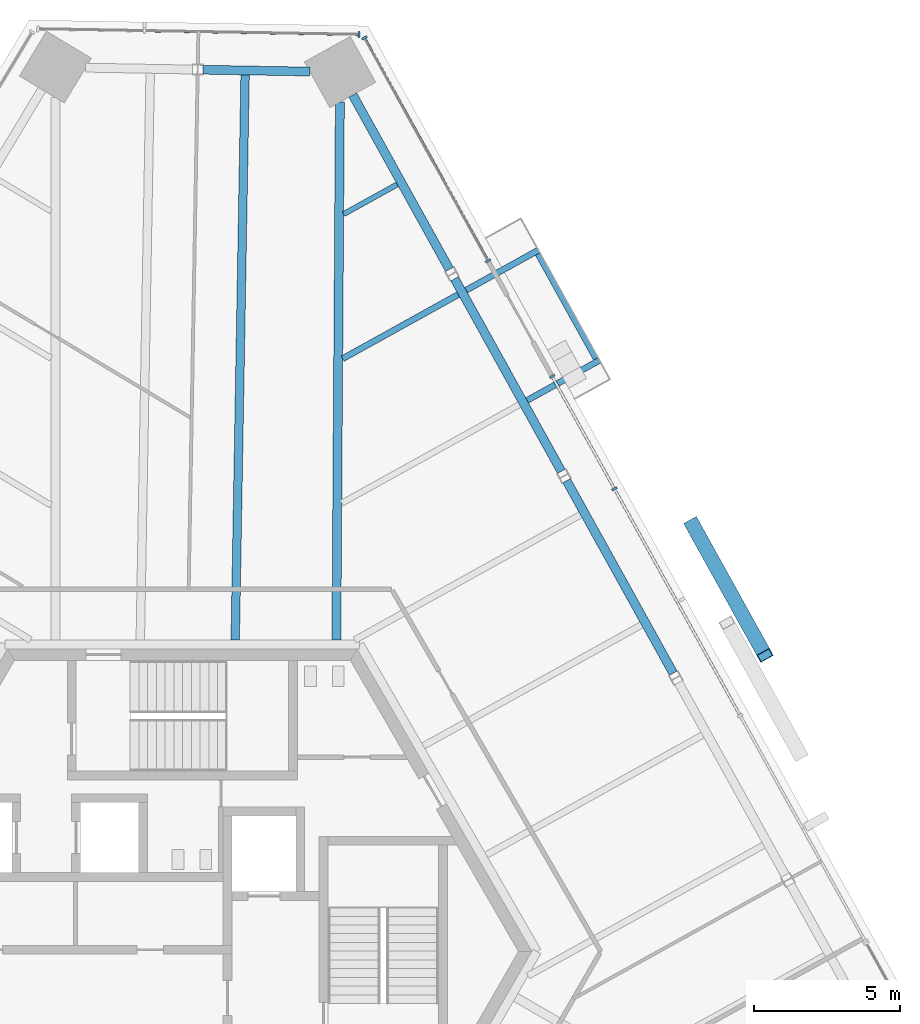
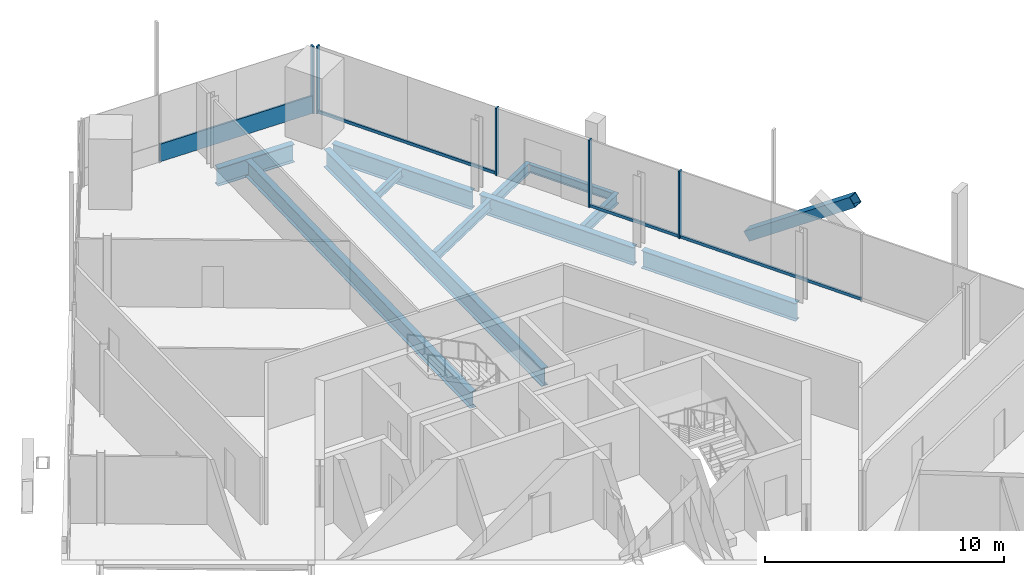
# One storey, part 9 of 20: 11 beams, 10 members, 3 elements without a shape of their own.
"""IFC4 building model written with IfcOpenShell, lengths in metres."""

from ifc_helpers import new_model, si_unit, direction, frame, origin, origin_2d, place, context, subcontext, project, spatial, rectangle, hollow_rectangle, i_section, extrude, source, transform, mapped, material, material_profile, profile_set, type_object, element, aggregate, save


model = new_model("IFC4")

# Units and contexts
model_context = context("Model", 3, precision=1e-05, world=origin(), true_north=direction((0.0, 1.0)))
body_context = subcontext(model_context, "Body", "Model", "MODEL_VIEW")
ifc_project = project(units=[si_unit("LENGTHUNIT", "METRE"), si_unit("AREAUNIT", "SQUARE_METRE"), si_unit("VOLUMEUNIT", "CUBIC_METRE"), si_unit("PLANEANGLEUNIT", "RADIAN"), si_unit("MASSUNIT", "GRAM", prefix="KILO")], contexts=[model_context])

# Site, building, storey
site_placement = place(None, origin())
site = spatial("IfcSite", under=ifc_project, at=site_placement, CompositionType="ELEMENT")
building_placement = place(site_placement, origin())
building = spatial("IfcBuilding", under=site, at=building_placement, Name="Triune Harvest Tower", CompositionType="ELEMENT")
storey_placement = place(building_placement, frame((0.0, 0.0, 194.300048828125)))
storey = spatial("IfcBuildingStorey", under=building, at=storey_placement, Name="L50", CompositionType="ELEMENT", Elevation=194.300048828125)

# Curtain wall, member
ifc_material_1 = material(Name="Aluminium bronze anodised", Category="aluminium")
curtain_wall_type_1 = type_object("IfcCurtainWallType", Name="CW-10 Balcony window wall with insulated spandrel infill", PredefinedType="NOTDEFINED", material=ifc_material_1)
curtain_wall_1_placement = place(storey_placement, origin())
curtain_wall_1 = element("IfcCurtainWall", 1, at=curtain_wall_1_placement, inside=storey, type_object=curtain_wall_type_1, Name="CW-10 B5-F1 L50 run 1001")
ifc_material_2 = material(Name="Aluminium bronze anodised", Category="aluminium")
ifc_material_profile_1 = material_profile(ifc_material_2, rectangle(XDim=0.090087890625, YDim=0.14990234375, at=origin_2d()), Name="TR-6 transom 90 x 150")
ifc_profile_set_1 = profile_set([ifc_material_profile_1], Name="Aluminium bronze anodised")
member_type_1 = type_object("IfcMemberType", Name="TR-6 transom 90 x 150", PredefinedType="USERDEFINED", material=ifc_profile_set_1)
member_1_placement = place(storey_placement, frame((14.817138671875, 15.919189453125, 0.074951171875), z_axis=(-0.484820583326, 0.874613630115, 0.0), x_axis=(-0.874613630115, -0.484820583326, 0.0)))
member_1 = element("IfcMember", 2, at=member_1_placement, type_object=member_type_1, Name="CW-10 transom B5-F1 1001.3", ObjectType="TRANSOM", PredefinedType="USERDEFINED", context=body_context, shape_type="SweptSolid", body=[
    extrude(rectangle(XDim=0.090087890625, YDim=0.14990234375, at=origin_2d()), origin(), (0.0, 0.0, 1.0), 4.336669921875),
])

# Beams
ifc_material_3 = material(Name="Steel ASTM A992 Gr 50", Category="steel")
ifc_material_profile_2 = material_profile(ifc_material_3, i_section(OverallWidth=0.3046875, OverallDepth=0.914306640625, WebThickness=0.0166015625, FlangeThickness=0.02587890625, at=origin_2d()), Name="W36x160")
ifc_profile_set_2 = profile_set([ifc_material_profile_2], Name="Steel ASTM A992 Gr 50")
beam_type_1 = type_object("IfcBeamType", Name="SB-1 Spandrel beam W36x160", PredefinedType="SPANDREL", material=ifc_profile_set_2)
shared_shape_1 = source(origin(), body_context, "Body", "SweptSolid", [
    extrude(i_section(OverallWidth=0.3046875, OverallDepth=0.914306640625, WebThickness=0.0166015625, FlangeThickness=0.02587890625, at=origin_2d()), origin(), (0.0, 0.0, 1.0), 6.841796875),
])
beam_1_placement = place(storey_placement, frame((9.16943359375, 23.421875, -0.6171875), z_axis=(-0.484833781575, 0.87460631386, 0.0), x_axis=(-0.87460631386, -0.484833781575, 0.0)))
element("IfcBeam", 3, at=beam_1_placement, inside=storey, type_object=beam_type_1, Name="beam/L50/SB6", PredefinedType="SPANDREL", context=body_context, shape_type="MappedRepresentation", body=[
    mapped(shared_shape_1, transform((0.0, 0.0, 0.0), scale=1.0)),
])
shared_shape_2 = source(origin(), body_context, "Body", "SweptSolid", [
    extrude(i_section(OverallWidth=0.3046875, OverallDepth=0.914306640625, WebThickness=0.0166015625, FlangeThickness=0.02587890625, at=origin_2d()), origin(), (0.0, 0.0, 1.0), 7.556396484375),
])
for number, where, z_axis, x_axis, name in (
    (4, (16.855712890625, 9.555419921875, -0.6171875), (-0.484806011206, 0.874621707654, 0.0), (-0.874621707654, -0.484806011206, 0.0), "beam/L50/SB4"),
    (5, (13.0126953125, 16.488525390625, -0.6171875), (-0.484830726301, 0.874608007529, 0.0), (-0.874608007529, -0.484830726301, 0.0), "beam/L50/SB5"),
):
    element("IfcBeam", number, at=place(storey_placement, frame(where, z_axis=z_axis, x_axis=x_axis)), inside=storey, type_object=beam_type_1, Name=name, PredefinedType="SPANDREL", context=body_context, shape_type="MappedRepresentation", body=[
        mapped(shared_shape_2, transform((0.0, 0.0, 0.0), scale=1.0)),
    ])
shared_shape_3 = source(origin(), body_context, "Body", "SweptSolid", [
    extrude(i_section(OverallWidth=0.3046875, OverallDepth=0.914306640625, WebThickness=0.0166015625, FlangeThickness=0.02587890625, at=origin_2d()), origin(), (0.0, 0.0, 1.0), 3.66357421875),
])
beam_2_placement = place(storey_placement, frame((4.376953125, 30.211181640625, -0.6171875), z_axis=(-0.999847573959, 0.017459348466, 0.0), x_axis=(-0.017459348466, -0.999847573959, 0.0)))
element("IfcBeam", 6, at=beam_2_placement, inside=storey, type_object=beam_type_1, Name="beam/L50/SB7", PredefinedType="SPANDREL", context=body_context, shape_type="MappedRepresentation", body=[
    mapped(shared_shape_3, transform((0.0, 0.0, 0.0), scale=1.0)),
])
ifc_material_4 = material(Name="Steel ASTM A992 Gr 50", Category="steel")
ifc_material_profile_3 = material_profile(ifc_material_4, i_section(OverallWidth=0.307373046875, OverallDepth=0.922119140625, WebThickness=0.018310546875, FlangeThickness=0.030029296875, at=origin_2d()), Name="W36x182")
ifc_profile_set_3 = profile_set([ifc_material_profile_3], Name="Steel ASTM A992 Gr 50")
beam_type_2 = type_object("IfcBeamType", Name="HG-2 Hip girder W36x182", PredefinedType="BEAM", material=ifc_profile_set_3)
shared_shape_4 = source(origin(), body_context, "Body", "SweptSolid", [
    extrude(i_section(OverallWidth=0.307373046875, OverallDepth=0.922119140625, WebThickness=0.018310546875, FlangeThickness=0.030029296875, at=origin_2d()), origin(), (0.0, 0.0, 1.0), 18.463623046875),
])
beam_3_placement = place(storey_placement, frame((5.409423828125, 29.16015625, -0.62109375), z_axis=(-0.006518869748, -0.999978751943, 0.0), x_axis=(0.999978751943, -0.006518869748, 0.0)))
element("IfcBeam", 7, at=beam_3_placement, inside=storey, type_object=beam_type_2, Name="beam/L50/HG3", PredefinedType="BEAM", context=body_context, shape_type="MappedRepresentation", body=[
    mapped(shared_shape_4, transform((0.0, 0.0, 0.0), scale=1.0)),
])
ifc_material_5 = material(Name="Steel ASTM A992 Gr 50", Category="steel")
ifc_material_profile_4 = material_profile(ifc_material_5, i_section(OverallWidth=0.2099609375, OverallDepth=0.535888671875, WebThickness=0.010986328125, FlangeThickness=0.017333984375, at=origin_2d()), Name="W21x68")
ifc_profile_set_4 = profile_set([ifc_material_profile_4], Name="Steel ASTM A992 Gr 50")
beam_type_3 = type_object("IfcBeamType", Name="JT-2 Floor joist W21x68", PredefinedType="JOIST", material=ifc_profile_set_4)
shared_shape_5 = source(origin(), body_context, "Body", "SweptSolid", [
    extrude(i_section(OverallWidth=0.2099609375, OverallDepth=0.535888671875, WebThickness=0.010986328125, FlangeThickness=0.017333984375, at=origin_2d()), origin(), (0.0, 0.0, 1.0), 4.538818359375),
])
beam_4_placement = place(storey_placement, frame((9.475341796875, 22.555419921875, -0.427978515625), z_axis=(-0.874621193693, -0.484806938423, 0.0), x_axis=(0.484806938423, -0.874621193693, 0.0)))
element("IfcBeam", 8, at=beam_4_placement, inside=storey, type_object=beam_type_3, Name="beam/L50/JT9", PredefinedType="JOIST", context=body_context, shape_type="MappedRepresentation", body=[
    mapped(shared_shape_5, transform((0.0, 0.0, 0.0), scale=1.0)),
])
ifc_material_6 = material(Name="Steel ASTM A992 Gr 50", Category="steel")
ifc_material_profile_5 = material_profile(ifc_material_6, i_section(OverallWidth=0.180908203125, OverallDepth=0.41650390625, WebThickness=0.010986328125, FlangeThickness=0.01806640625, at=origin_2d()), Name="W16x57")
ifc_profile_set_5 = profile_set([ifc_material_profile_5], Name="Steel ASTM A992 Gr 50")
beam_type_4 = type_object("IfcBeamType", Name="JT-1 Floor joist W16x57", PredefinedType="JOIST", material=ifc_profile_set_5)
shared_shape_6 = source(origin(), body_context, "Body", "SweptSolid", [
    extrude(i_section(OverallWidth=0.180908203125, OverallDepth=0.41650390625, WebThickness=0.010986328125, FlangeThickness=0.01806640625, at=origin_2d()), origin(), (0.0, 0.0, 1.0), 2.10498046875),
])
beam_5_placement = place(storey_placement, frame((7.379150390625, 26.33740234375, -0.368408203125), z_axis=(-0.874621898411, -0.484805667067, 0.0), x_axis=(0.484805667067, -0.874621898411, 0.0)))
element("IfcBeam", 9, at=beam_5_placement, inside=storey, type_object=beam_type_4, Name="beam/L50/JT10", PredefinedType="JOIST", context=body_context, shape_type="MappedRepresentation", body=[
    mapped(shared_shape_6, transform((0.0, 0.0, 0.0), scale=1.0)),
])
ifc_material_7 = material(Name="Steel ASTM A992 Gr 50", Category="steel")
ifc_material_profile_6 = material_profile(ifc_material_7, i_section(OverallWidth=0.2919921875, OverallDepth=0.8408203125, WebThickness=0.0146484375, FlangeThickness=0.021728515625, at=origin_2d()), Name="W33x130")
ifc_profile_set_6 = profile_set([ifc_material_profile_6], Name="Steel ASTM A992 Gr 50")
beam_type_5 = type_object("IfcBeamType", Name="JT-6 Floor joist W33x130", PredefinedType="JOIST", material=ifc_profile_set_6)
shared_shape_7 = source(origin(), body_context, "Body", "SweptSolid", [
    extrude(i_section(OverallWidth=0.2919921875, OverallDepth=0.8408203125, WebThickness=0.0146484375, FlangeThickness=0.021728515625, at=origin_2d()), origin(), (0.0, 0.0, 1.0), 19.403564453125),
])
beam_6_placement = place(storey_placement, frame((2.155029296875, 30.09765625, -0.58056640625), z_axis=(-0.017451567023, -0.999847709808, 0.0), x_axis=(0.999847709808, -0.017451567023, 0.0)))
element("IfcBeam", 10, at=beam_6_placement, inside=storey, type_object=beam_type_5, Name="beam/L50/JT11", PredefinedType="JOIST", context=body_context, shape_type="MappedRepresentation", body=[
    mapped(shared_shape_7, transform((0.0, 0.0, 0.0), scale=1.0)),
])

# Member
ifc_material_8 = material(Name="Steel ASTM A572 Gr 50", Category="steel")
ifc_material_profile_7 = material_profile(ifc_material_8, hollow_rectangle(XDim=0.5, YDim=0.5, WallThickness=0.030029296875, at=origin_2d()), Name="Box 500x500x30")
ifc_profile_set_7 = profile_set([ifc_material_profile_7], Name="Steel ASTM A572 Gr 50")
member_type_2 = type_object("IfcMemberType", Name="BR-3 Brace Box 500x500x30", PredefinedType="BRACE", material=ifc_profile_set_7)
shared_shape_8 = source(origin(), body_context, "Body", "SweptSolid", [
    extrude(hollow_rectangle(XDim=0.5, YDim=0.5, WallThickness=0.030029296875, at=origin_2d()), origin(), (0.0, 0.0, 1.0), 6.302734375),
])
member_2_placement = place(storey_placement, frame((17.498291015625, 14.69140625, 0.0), z_axis=(0.397966249963, -0.71791964929, 0.57115167955), x_axis=(0.874610982048, 0.484825360395, 0.0)))
element("IfcMember", 11, at=member_2_placement, inside=storey, type_object=member_type_2, Name="brace/B5-F1/d2/5", PredefinedType="BRACE", context=body_context, shape_type="MappedRepresentation", body=[
    mapped(shared_shape_8, transform((0.0, 0.0, 0.0), scale=1.0)),
])

# Curtain wall, member
ifc_material_9 = material(Name="Aluminium bronze anodised", Category="aluminium")
curtain_wall_type_2 = type_object("IfcCurtainWallType", Name="CW-1 Tower stick curtain wall", PredefinedType="NOTDEFINED", material=ifc_material_9)
curtain_wall_2_placement = place(storey_placement, origin())
curtain_wall_2 = element("IfcCurtainWall", 12, at=curtain_wall_2_placement, inside=storey, type_object=curtain_wall_type_2, Name="CW-1 B5-F2 L50 run 1")
ifc_material_10 = material(Name="Aluminium bronze anodised", Category="aluminium")
ifc_material_profile_8 = material_profile(ifc_material_10, rectangle(XDim=0.199951171875, YDim=0.074951171875, at=origin_2d()), Name="MU-1 mullion 75 x 200")
ifc_profile_set_8 = profile_set([ifc_material_profile_8], Name="Aluminium bronze anodised")
member_type_3 = type_object("IfcMemberType", Name="MU-1 mullion 75 x 200", PredefinedType="MULLION", material=ifc_profile_set_8)
shared_shape_9 = source(origin(), body_context, "Body", "SweptSolid", [
    extrude(rectangle(XDim=0.199951171875, YDim=0.074951171875, at=origin_2d()), origin(), (0.0, 0.0, 1.0), 3.43994140625),
])
member_3_placement = place(storey_placement, frame((6.06298828125, 31.484130859375, 0.0), z_axis=(0.0, 0.0, 1.0), x_axis=(-0.017446318452, -0.999847801404, 0.0)))
member_3 = element("IfcMember", 13, at=member_3_placement, type_object=member_type_3, Name="CW-1 mullion B5-F2 1.1", PredefinedType="MULLION", context=body_context, shape_type="MappedRepresentation", body=[
    mapped(shared_shape_9, transform((0.0, 0.0, 0.0), scale=1.0)),
])

# Member
ifc_material_11 = material(Name="Aluminium bronze anodised", Category="aluminium")
ifc_material_profile_9 = material_profile(ifc_material_11, rectangle(XDim=0.199951171875, YDim=0.074951171875, at=origin_2d()), Name="MU-6 mullion 75 x 200")
ifc_profile_set_9 = profile_set([ifc_material_profile_9], Name="Aluminium bronze anodised")
member_type_4 = type_object("IfcMemberType", Name="MU-6 mullion 75 x 200", PredefinedType="MULLION", material=ifc_profile_set_9)
shared_shape_10 = source(origin(), body_context, "Body", "SweptSolid", [
    extrude(rectangle(XDim=0.199951171875, YDim=0.074951171875, at=origin_2d()), origin(), (0.0, 0.0, 1.0), 3.43994140625),
])
member_4_placement = place(storey_placement, frame((14.835205078125, 15.88623046875, 0.0), z_axis=(0.0, 0.0, 1.0), x_axis=(-0.874619563717, -0.484809878988, 0.0)))
member_4 = element("IfcMember", 14, at=member_4_placement, type_object=member_type_4, Name="CW-10 mullion B5-F1 1001.5", PredefinedType="MULLION", context=body_context, shape_type="MappedRepresentation", body=[
    mapped(shared_shape_10, transform((0.0, 0.0, 0.0), scale=1.0)),
])

member_5_placement = place(storey_placement, frame((12.6962890625, 19.7451171875, 0.0), z_axis=(0.0, 0.0, 1.0), x_axis=(-0.874619563717, -0.484809878988, 0.0)))
member_5 = element("IfcMember", 15, at=member_5_placement, type_object=member_type_4, Name="CW-10 mullion B5-F1 1001.6", PredefinedType="MULLION", context=body_context, shape_type="MappedRepresentation", body=[
    mapped(shared_shape_10, transform((0.0, 0.0, 0.0), scale=1.0)),
])

# Curtain wall, members
ifc_material_12 = material(Name="Aluminium bronze anodised", Category="aluminium")
curtain_wall_type_3 = type_object("IfcCurtainWallType", Name="CW-6 Balcony window wall", PredefinedType="NOTDEFINED", material=ifc_material_12)
curtain_wall_3_placement = place(storey_placement, origin())
curtain_wall_3 = element("IfcCurtainWall", 16, at=curtain_wall_3_placement, inside=storey, type_object=curtain_wall_type_3, Name="CW-6 B5-F1 L50 run 2")
member_6_placement = place(storey_placement, frame((10.497314453125, 23.7119140625, 0.0), z_axis=(0.0, 0.0, 1.0), x_axis=(-0.874620337497, -0.48480848305, 0.0)))
member_6 = element("IfcMember", 17, at=member_6_placement, type_object=member_type_4, Name="CW-6 mullion B5-F1 2.1", PredefinedType="MULLION", context=body_context, shape_type="MappedRepresentation", body=[
    mapped(shared_shape_10, transform((0.0, 0.0, 0.0), scale=1.0)),
])
member_7_placement = place(storey_placement, frame((6.252197265625, 31.370361328125, 0.0), z_axis=(0.0, 0.0, 1.0), x_axis=(-0.874620337497, -0.48480848305, 0.0)))
member_7 = element("IfcMember", 18, at=member_7_placement, type_object=member_type_4, Name="CW-6 mullion B5-F1 2.3", PredefinedType="MULLION", context=body_context, shape_type="MappedRepresentation", body=[
    mapped(shared_shape_10, transform((0.0, 0.0, 0.0), scale=1.0)),
])

# Member
ifc_material_13 = material(Name="Aluminium bronze anodised", Category="aluminium")
ifc_material_profile_10 = material_profile(ifc_material_13, rectangle(XDim=0.090087890625, YDim=0.89990234375, at=origin_2d()), Name="TR-1 transom 90 x 900")
ifc_profile_set_10 = profile_set([ifc_material_profile_10], Name="Aluminium bronze anodised")
member_type_5 = type_object("IfcMemberType", Name="TR-1 transom 90 x 900", PredefinedType="USERDEFINED", material=ifc_profile_set_10)
shared_shape_11 = source(origin(), body_context, "Body", "SweptSolid", [
    extrude(rectangle(XDim=0.090087890625, YDim=0.89990234375, at=origin_2d()), origin(), (0.0, 0.0, 1.0), 7.287841796875),
])
member_8_placement = place(storey_placement, frame((6.025634765625, 31.48486328125, 0.449951171875), z_axis=(-0.999848258084, 0.017420126456, 0.0), x_axis=(-0.017420126456, -0.999848258084, 0.0)))
member_8 = element("IfcMember", 19, at=member_8_placement, type_object=member_type_5, Name="CW-1 transom B5-F2 1.1", ObjectType="TRANSOM", PredefinedType="USERDEFINED", context=body_context, shape_type="MappedRepresentation", body=[
    mapped(shared_shape_11, transform((0.0, 0.0, 0.0), scale=1.0)),
])

aggregate(curtain_wall_2, [member_3, member_8])

shared_shape_12 = source(origin(), body_context, "Body", "SweptSolid", [
    extrude(rectangle(XDim=0.090087890625, YDim=0.14990234375, at=origin_2d()), origin(), (0.0, 0.0, 1.0), 8.82373046875),
])
member_9_placement = place(storey_placement, frame((19.13134765625, 8.135986328125, 0.074951171875), z_axis=(-0.4848040448, 0.874622797636, 0.0), x_axis=(-0.874622797636, -0.4848040448, 0.0)))
member_9 = element("IfcMember", 20, at=member_9_placement, type_object=member_type_1, Name="CW-10 transom B5-F1 1001.2", ObjectType="TRANSOM", PredefinedType="USERDEFINED", context=body_context, shape_type="MappedRepresentation", body=[
    mapped(shared_shape_12, transform((0.0, 0.0, 0.0), scale=1.0)),
])

aggregate(curtain_wall_1, [member_4, member_5, member_9, member_1])

# Beams
ifc_material_14 = material(Name="Steel ASTM A992 Gr 50", Category="steel")
ifc_material_profile_11 = material_profile(ifc_material_14, i_section(OverallWidth=0.2099609375, OverallDepth=0.535888671875, WebThickness=0.010986328125, FlangeThickness=0.017333984375, at=origin_2d()), Name="W21x68")
ifc_profile_set_11 = profile_set([ifc_material_profile_11], Name="Steel ASTM A992 Gr 50")
beam_type_6 = type_object("IfcBeamType", Name="BJ-2 Balcony cantilever joist W21x68", PredefinedType="JOIST", material=ifc_profile_set_11)
shared_shape_13 = source(origin(), body_context, "Body", "SweptSolid", [
    extrude(i_section(OverallWidth=0.2099609375, OverallDepth=0.535888671875, WebThickness=0.010986328125, FlangeThickness=0.017333984375, at=origin_2d()), origin(), (0.0, 0.0, 1.0), 2.843505859375),
])
for number, where, z_axis, x_axis, name in (
    (21, (9.741943359375, 22.703369140625, -0.427978515625), (0.874646876072, 0.484760602955, 0.0), (-0.484760602955, 0.874646876072, 0.0), "Balcony cantilever joist B5-F1 L50.9a"),
    (22, (11.83837890625, 18.92138671875, -0.427978515625), (0.874590288159, 0.484862689695, 0.0), (-0.484862689695, 0.874590288159, 0.0), "Balcony cantilever joist B5-F1 L50.9b"),
):
    element("IfcBeam", number, at=place(storey_placement, frame(where, z_axis=z_axis, x_axis=x_axis)), inside=storey, type_object=beam_type_6, Name=name, PredefinedType="JOIST", context=body_context, shape_type="MappedRepresentation", body=[
        mapped(shared_shape_13, transform((0.0, 0.0, 0.0), scale=1.0)),
    ])
ifc_material_15 = material(Name="Steel ASTM A992 Gr 50", Category="steel")
ifc_material_profile_12 = material_profile(ifc_material_15, i_section(OverallWidth=0.180908203125, OverallDepth=0.41650390625, WebThickness=0.010986328125, FlangeThickness=0.01806640625, at=origin_2d()), Name="W16x57")
ifc_profile_set_12 = profile_set([ifc_material_profile_12], Name="Steel ASTM A992 Gr 50")
beam_type_7 = type_object("IfcBeamType", Name="BE-1 balcony edge beam W16x57", PredefinedType="BEAM", material=ifc_profile_set_12)
shared_shape_14 = source(origin(), body_context, "Body", "SweptSolid", [
    extrude(i_section(OverallWidth=0.180908203125, OverallDepth=0.41650390625, WebThickness=0.010986328125, FlangeThickness=0.01806640625, at=origin_2d()), origin(), (0.0, 0.0, 1.0), 4.114013671875),
])
beam_7_placement = place(storey_placement, frame((12.20068359375, 23.9462890625, -0.368408203125), z_axis=(0.484836548552, -0.874604779994, 0.0), x_axis=(0.874604779994, 0.484836548552, 0.0)))
element("IfcBeam", 23, at=beam_7_placement, inside=storey, type_object=beam_type_7, Name="Balcony edge beam B5-F1 L50.9", PredefinedType="BEAM", context=body_context, shape_type="MappedRepresentation", body=[
    mapped(shared_shape_14, transform((0.0, 0.0, 0.0), scale=1.0)),
])

# Member
shared_shape_15 = source(origin(), body_context, "Body", "SweptSolid", [
    extrude(rectangle(XDim=0.090087890625, YDim=0.14990234375, at=origin_2d()), origin(), (0.0, 0.0, 1.0), 8.68115234375),
])
member_10_placement = place(storey_placement, frame((10.479248046875, 23.744873046875, 0.074951171875), z_axis=(-0.484809372845, 0.874619844276, 0.0), x_axis=(-0.874619844276, -0.484809372845, 0.0)))
member_10 = element("IfcMember", 24, at=member_10_placement, type_object=member_type_1, Name="CW-6 transom B5-F1 2.1", ObjectType="TRANSOM", PredefinedType="USERDEFINED", context=body_context, shape_type="MappedRepresentation", body=[
    mapped(shared_shape_15, transform((0.0, 0.0, 0.0), scale=1.0)),
])

aggregate(curtain_wall_3, [member_6, member_7, member_10])

save(model, "model.ifc")
